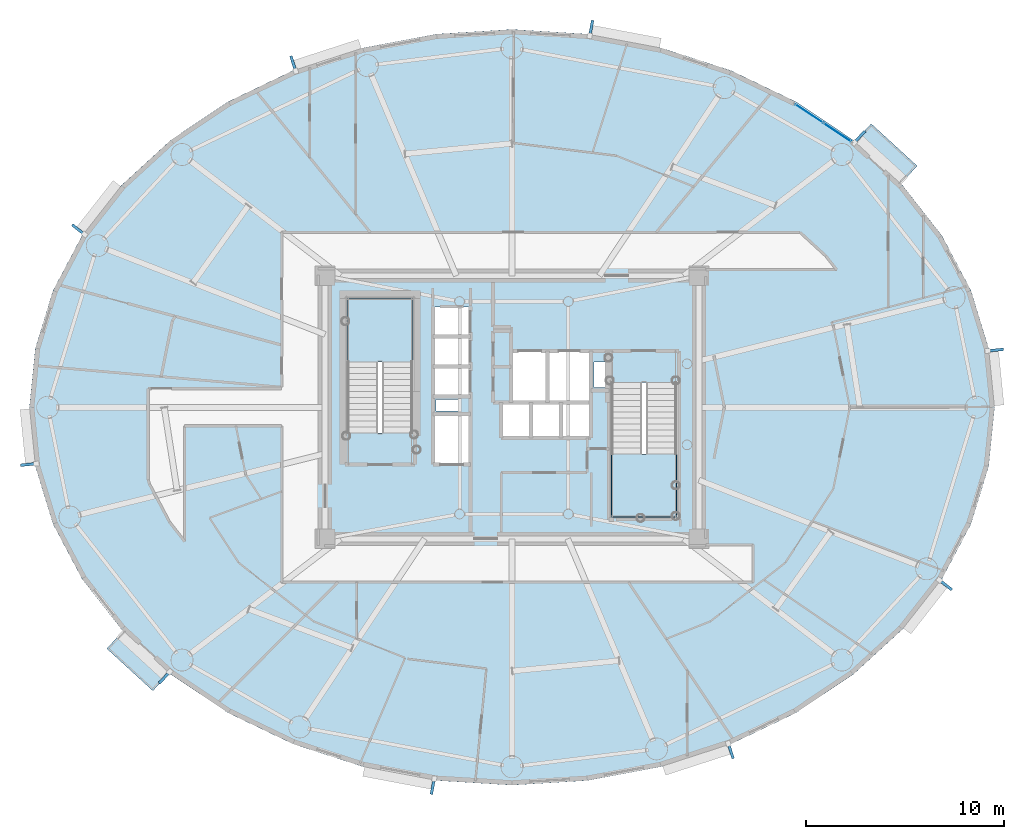
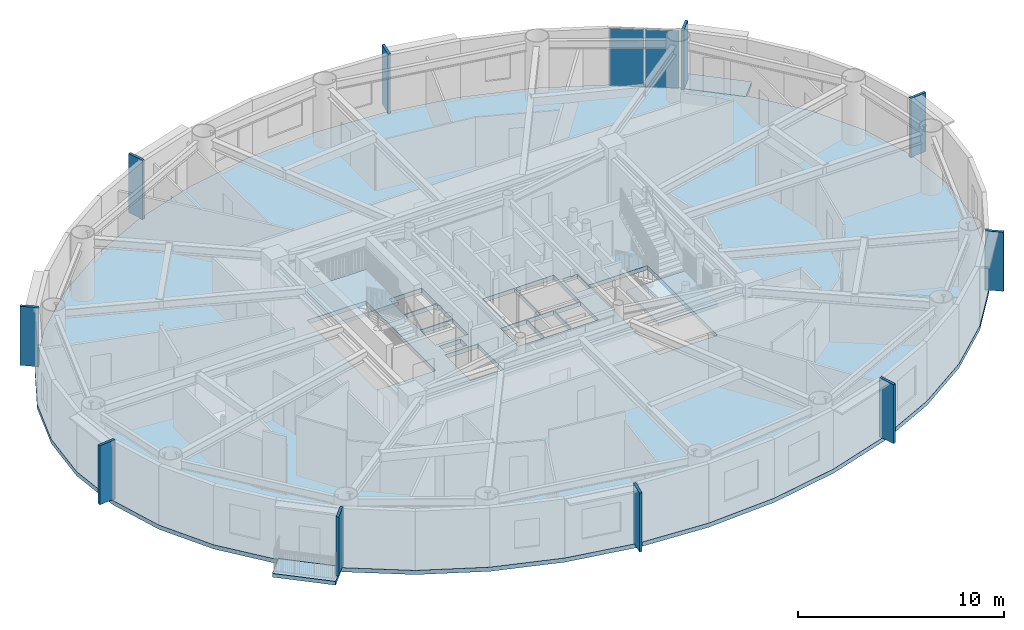
# One storey, part 5 of 19: 12 plates, 5 slabs, 3 elements without a shape of their own.
"""IFC4 building model written with IfcOpenShell, lengths in metres."""

from ifc_helpers import new_model, si_unit, direction, frame, origin, origin_2d, place, context, subcontext, project, spatial, polyline, rectangle, outline, extrude, source, transform, mapped, material, layer, layer_set, type_object, element, aggregate, save


model = new_model("IFC4")

# Units and contexts
model_context = context("Model", 3, precision=1e-05, world=origin(), true_north=direction((0.0, 1.0)))
body_context = subcontext(model_context, "Body", "Model", "MODEL_VIEW")
ifc_project = project(units=[si_unit("LENGTHUNIT", "METRE"), si_unit("AREAUNIT", "SQUARE_METRE"), si_unit("VOLUMEUNIT", "CUBIC_METRE"), si_unit("PLANEANGLEUNIT", "RADIAN"), si_unit("MASSUNIT", "GRAM", prefix="KILO")], contexts=[model_context])

# Site, building, storey
site_placement = place(None, origin())
site = spatial("IfcSite", under=ifc_project, at=site_placement, CompositionType="ELEMENT")
building_placement = place(site_placement, origin())
building = spatial("IfcBuilding", under=site, at=building_placement, Name="Linh Dai School and Residence Tower", CompositionType="ELEMENT")
storey_placement = place(building_placement, frame((0.0, 0.0, 247.800048828125)))
storey = spatial("IfcBuildingStorey", under=building, at=storey_placement, Name="L61", CompositionType="ELEMENT", Elevation=247.800048828125)

# Slabs
ifc_material_1 = material(Name="Concrete B45 (C35/45)", Category="concrete")
ifc_layer_1 = layer(ifc_material_1, 0.219970703125)
ifc_layer_set_1 = layer_set([ifc_layer_1], Name="Concrete B45 (C35/45)")
slab_type_1 = type_object("IfcSlabType", Name="SLB-BALC-220", PredefinedType="FLOOR", material=ifc_layer_set_1)
slab_1_placement = place(storey_placement, frame((0.0, 0.0, -0.219970703125)))
element("IfcSlab", 1, at=slab_1_placement, inside=storey, type_object=slab_type_1, Name="L61 Sliding Balcony Slab 05", PredefinedType="FLOOR", context=body_context, shape_type="SweptSolid", body=[
    extrude(outline(polyline([(53.280517578125, 40.37646484375), (55.60498046875, 38.245361328125), (56.483642578125, 39.20361328125), (54.158935546875, 41.334716796875), (53.280517578125, 40.37646484375)])), origin(), (0.0, 0.0, 1.0), 0.219970703125),
])
slab_2_placement = place(storey_placement, frame((0.0, 0.0, -0.219970703125)))
element("IfcSlab", 2, at=slab_2_placement, inside=storey, type_object=slab_type_1, Name="L61 Sliding Balcony Slab 25", PredefinedType="FLOOR", context=body_context, shape_type="SweptSolid", body=[
    extrude(outline(polyline([(18.719482421875, 13.62353515625), (16.39501953125, 15.754638671875), (15.516357421875, 14.79638671875), (17.841064453125, 12.665283203125), (18.719482421875, 13.62353515625)])), origin(), (0.0, 0.0, 1.0), 0.219970703125),
])
ifc_layer_2 = layer(ifc_material_1, 0.25)
ifc_layer_set_2 = layer_set([ifc_layer_2], Name="Concrete B45 (C35/45)")
slab_type_2 = type_object("IfcSlabType", Name="SLB-FLR250", PredefinedType="FLOOR", material=ifc_layer_set_2)
slab_3_placement = place(storey_placement, frame((0.0, 0.0, -0.25)))
element("IfcSlab", 3, at=slab_3_placement, inside=storey, type_object=slab_type_2, Name="L61 Composite Structural Floor Slab", PredefinedType="FLOOR", context=body_context, shape_type="SweptSolid", body=[
    extrude(outline(polyline([(60.39990234375, 27.0), (60.099609375, 29.98876953125), (59.205810546875, 32.90380859375), (57.740478515625, 35.673583984375), (55.739990234375, 38.229736328125), (53.25341796875, 40.50927734375), (50.342041015625, 42.456298828125), (47.077392578125, 44.022705078125), (43.5400390625, 45.169921875), (39.81689453125, 45.869873046875), (36.0, 46.10498046875), (32.18310546875, 45.869873046875), (28.4599609375, 45.169921875), (24.922607421875, 44.022705078125), (21.657958984375, 42.456298828125), (18.74658203125, 40.50927734375), (16.260009765625, 38.229736328125), (14.259521484375, 35.673583984375), (12.794189453125, 32.90380859375), (11.900390625, 29.98876953125), (11.60009765625, 27.0), (11.900390625, 24.01123046875), (12.794189453125, 21.09619140625), (14.259521484375, 18.326416015625), (16.260009765625, 15.770263671875), (18.74658203125, 13.49072265625), (21.657958984375, 11.543701171875), (24.922607421875, 9.977294921875), (28.4599609375, 8.830078125), (32.18310546875, 8.130126953125), (36.0, 7.89501953125), (39.81689453125, 8.130126953125), (43.5400390625, 8.830078125), (47.077392578125, 9.977294921875), (50.342041015625, 11.543701171875), (53.25341796875, 13.49072265625), (55.739990234375, 15.770263671875), (57.740478515625, 18.326416015625), (59.205810546875, 21.09619140625), (60.099609375, 24.01123046875), (60.39990234375, 27.0)]), holes=[polyline([(30.97998046875, 25.699951171875), (30.97998046875, 32.5), (27.679931640625, 32.5), (27.679931640625, 25.699951171875), (30.97998046875, 25.699951171875)]), polyline([(41.02001953125, 28.25), (41.02001953125, 21.449951171875), (44.320068359375, 21.449951171875), (44.320068359375, 28.25), (41.02001953125, 28.25)]), polyline([(35.97998046875, 27.280029296875), (37.77001953125, 27.280029296875), (37.77001953125, 29.820068359375), (35.97998046875, 29.820068359375), (35.97998046875, 27.280029296875)]), polyline([(32.030029296875, 24.1298828125), (33.8701171875, 24.1298828125), (33.8701171875, 26.6201171875), (32.030029296875, 26.6201171875), (32.030029296875, 24.1298828125)]), polyline([(37.830078125, 27.280029296875), (39.969970703125, 27.280029296875), (39.969970703125, 29.820068359375), (37.830078125, 29.820068359375), (37.830078125, 27.280029296875)]), polyline([(32.030029296875, 27.580078125), (33.8701171875, 27.580078125), (33.8701171875, 29.030029296875), (32.030029296875, 29.030029296875), (32.030029296875, 27.580078125)]), polyline([(32.030029296875, 29.090087890625), (33.8701171875, 29.090087890625), (33.8701171875, 30.550048828125), (32.030029296875, 30.550048828125), (32.030029296875, 29.090087890625)]), polyline([(32.030029296875, 30.610107421875), (33.8701171875, 30.610107421875), (33.8701171875, 32.070068359375), (32.030029296875, 32.070068359375), (32.030029296875, 30.610107421875)]), polyline([(35.47998046875, 25.47998046875), (36.929931640625, 25.47998046875), (36.929931640625, 27.219970703125), (35.47998046875, 27.219970703125), (35.47998046875, 25.47998046875)]), polyline([(36.989990234375, 25.47998046875), (38.449951171875, 25.47998046875), (38.449951171875, 27.219970703125), (36.989990234375, 27.219970703125), (36.989990234375, 25.47998046875)]), polyline([(38.510009765625, 25.47998046875), (39.969970703125, 25.47998046875), (39.969970703125, 27.219970703125), (38.510009765625, 27.219970703125), (38.510009765625, 25.47998046875)]), polyline([(40.14990234375, 28.0), (40.14990234375, 29.300048828125), (41.0, 29.300048828125), (41.0, 28.280029296875), (40.989990234375, 28.280029296875), (40.989990234375, 28.0), (40.14990234375, 28.0)]), polyline([(32.14990234375, 26.800048828125), (33.35009765625, 26.800048828125), (33.35009765625, 27.39990234375), (32.14990234375, 27.39990234375), (32.14990234375, 26.800048828125)])]), origin(), (0.0, 0.0, 1.0), 0.25),
])

# Stair, slab
stair_type = type_object("IfcStairType", Name="ST-DOG-1550-R1442", PredefinedType="HALF_TURN_STAIR", material=ifc_material_1)
stair_1_placement = place(storey_placement, origin())
stair_1 = element("IfcStair", 4, at=stair_1_placement, inside=storey, type_object=stair_type, Name="L61 Core Smokeproof Exit Stair ST1", PredefinedType="HALF_TURN_STAIR")
ifc_layer_3 = layer(ifc_material_1, 0.199951171875)
ifc_layer_set_3 = layer_set([ifc_layer_3], Name="Concrete B45 (C35/45)")
slab_type_3 = type_object("IfcSlabType", Name="SLB-ST-LANDING-200", PredefinedType="LANDING", material=ifc_layer_set_3)
slab_4_placement = place(storey_placement, frame((0.0, 0.0, 1.675048828125)))
slab_4 = element("IfcSlab", 5, at=slab_4_placement, type_object=slab_type_3, Name="ST1 landing 1", PredefinedType="LANDING", context=body_context, shape_type="SweptSolid", body=[
    extrude(outline(polyline([(30.97998046875, 29.300048828125), (30.97998046875, 32.5), (27.679931640625, 32.5), (27.679931640625, 29.300048828125), (30.97998046875, 29.300048828125)])), origin(), (0.0, 0.0, 1.0), 0.199951171875),
])
aggregate(stair_1, [slab_4])

stair_2_placement = place(storey_placement, origin())
stair_2 = element("IfcStair", 6, at=stair_2_placement, inside=storey, type_object=stair_type, Name="L61 Core Smokeproof Exit Stair ST2", PredefinedType="HALF_TURN_STAIR")
slab_5_placement = place(storey_placement, frame((0.0, 0.0, 1.675048828125)))
slab_5 = element("IfcSlab", 7, at=slab_5_placement, type_object=slab_type_3, Name="ST2 landing 1", PredefinedType="LANDING", context=body_context, shape_type="SweptSolid", body=[
    extrude(outline(polyline([(41.02001953125, 24.64990234375), (41.02001953125, 21.449951171875), (44.320068359375, 21.449951171875), (44.320068359375, 24.64990234375), (41.02001953125, 24.64990234375)])), origin(), (0.0, 0.0, 1.0), 0.199951171875),
])
aggregate(stair_2, [slab_5])

# Plates
ifc_material_2 = material(Name="Precast Concrete B45 (C35/45)", Category="concrete")
ifc_layer_4 = layer(ifc_material_2, 0.139892578125)
ifc_layer_set_4 = layer_set([ifc_layer_4], Name="Precast Concrete B45 (C35/45)")
plate_type_1 = type_object("IfcPlateType", Name="FIN-TC-900x140", PredefinedType="USERDEFINED", material=ifc_layer_set_4)
shared_shape_1 = source(origin(), body_context, "Body", "SweptSolid", [
    extrude(rectangle(XDim=0.89990234375, YDim=0.139892578125, at=origin_2d()), origin(), (0.0, 0.0, 1.0), 3.5),
])
for number, where, z_axis, x_axis, name in (
    (8, (60.39697265625, 29.885498046875, 0.0), (0.0, 0.0, 1.0), (0.99498620644, 0.100012244219, 0.0), "L61 Precast Terracotta Radial Fin 01"),
    (9, (53.541748046875, 40.632080078125, 0.0), (0.0, 0.0, 1.0), (0.675757574408, 0.737123938446, 0.0), "L61 Precast Terracotta Radial Fin 05"),
    (10, (39.995361328125, 46.12646484375, 0.0), (0.0, 0.0, 1.0), (0.18474448537, 0.982786586765, 0.0), "L61 Precast Terracotta Radial Fin 09"),
    (11, (24.95654296875, 44.33349609375, 0.0), (0.0, 0.0, 1.0), (-0.308501065272, 0.951223997135, 0.0), "L61 Precast Terracotta Radial Fin 13"),
    (12, (14.115234375, 35.952392578125, 0.0), (0.0, 0.0, 1.0), (-0.787486677066, 0.616331674867, 0.0), "L61 Precast Terracotta Radial Fin 17"),
    (13, (11.60302734375, 24.114501953125, 0.0), (0.0, 0.0, 1.0), (-0.99498620644, -0.100012244219, 0.0), "L61 Precast Terracotta Radial Fin 21"),
    (14, (18.458251953125, 13.367919921875, 0.0), (0.0, 0.0, 1.0), (-0.675756089102, -0.737125300096, 0.0), "L61 Precast Terracotta Radial Fin 25"),
    (15, (32.004638671875, 7.87353515625, 0.0), (0.0, 0.0, 1.0), (-0.18474448537, -0.982786586765, 0.0), "L61 Precast Terracotta Radial Fin 29"),
    (16, (47.04345703125, 9.66650390625, 0.0), (0.0, 0.0, 1.0), (0.308501065272, -0.951223997135, 0.0), "L61 Precast Terracotta Radial Fin 33"),
    (17, (57.884765625, 18.047607421875, 0.0), (0.0, 0.0, 1.0), (0.787485171888, -0.616333598027, 0.0), "L61 Precast Terracotta Radial Fin 37"),
):
    element("IfcPlate", number, at=place(storey_placement, frame(where, z_axis=z_axis, x_axis=x_axis)), inside=storey, type_object=plate_type_1, Name=name, ObjectType="RADIAL FIN", PredefinedType="USERDEFINED", context=body_context, shape_type="MappedRepresentation", body=[
        mapped(shared_shape_1, transform((0.0, 0.0, 0.0), x_axis=(1.0, 0.0, 0.0), y_axis=(0.0, 1.0, 0.0), z_axis=(0.0, 0.0, 1.0), scale=1.0)),
    ])

# Curtain wall, plates
ifc_material_3 = material(Name="Aluminium Anodised Curtain Wall", Category="aluminium")
ifc_layer_5 = layer(ifc_material_3, 0.14990234375)
ifc_layer_set_5 = layer_set([ifc_layer_5], Name="Aluminium Anodised Curtain Wall")
curtain_wall_type = type_object("IfcCurtainWallType", Name="CW-SYS-4", PredefinedType="USERDEFINED", material=ifc_layer_set_5)
curtain_wall_placement = place(storey_placement, origin())
curtain_wall = element("IfcCurtainWall", 18, at=curtain_wall_placement, inside=storey, type_object=curtain_wall_type, Name="L61 CW4 Curtain Wall 06", ObjectType="RIBBON CURTAIN WALL", PredefinedType="USERDEFINED")
ifc_material_4 = material(Name="Double Low-E Insulated Glazing", Category="glass")
ifc_layer_6 = layer(ifc_material_4, 0.02587890625)
ifc_layer_set_6 = layer_set([ifc_layer_6], Name="Double Low-E Insulated Glazing")
plate_type_2 = type_object("IfcPlateType", Name="CW-SYS-4-PAN", PredefinedType="CURTAIN_PANEL", material=ifc_layer_set_6)
shared_shape_2 = source(origin(), body_context, "Body", "SweptSolid", [
    extrude(rectangle(XDim=1.6640625, YDim=0.02587890625, at=origin_2d()), origin(), (0.0, 0.0, 1.0), 3.39599609375),
])
plate_1_placement = place(storey_placement, frame((51.014892578125, 41.856201171875, 0.052001953125), z_axis=(0.0, 0.0, 1.0), x_axis=(0.831257719597, -0.555887222025, 0.0)))
plate_1 = element("IfcPlate", 19, at=plate_1_placement, type_object=plate_type_2, Name="CW4 panel 1.1", PredefinedType="CURTAIN_PANEL", context=body_context, shape_type="MappedRepresentation", body=[
    mapped(shared_shape_2, transform((0.0, 0.0, 0.0), x_axis=(1.0, 0.0, 0.0), y_axis=(0.0, 1.0, 0.0), z_axis=(0.0, 0.0, 1.0), scale=1.0)),
])
plate_2_placement = place(storey_placement, frame((52.44140625, 40.90234375, 0.052001953125), z_axis=(0.0, 0.0, 1.0), x_axis=(0.831257719597, -0.555887222025, 0.0)))
plate_2 = element("IfcPlate", 20, at=plate_2_placement, type_object=plate_type_2, Name="CW4 panel 2.1", PredefinedType="CURTAIN_PANEL", context=body_context, shape_type="MappedRepresentation", body=[
    mapped(shared_shape_2, transform((0.0, 0.0, 0.0), x_axis=(1.0, 0.0, 0.0), y_axis=(0.0, 1.0, 0.0), z_axis=(0.0, 0.0, 1.0), scale=1.0)),
])
aggregate(curtain_wall, [plate_1, plate_2])

save(model, "model.ifc")
